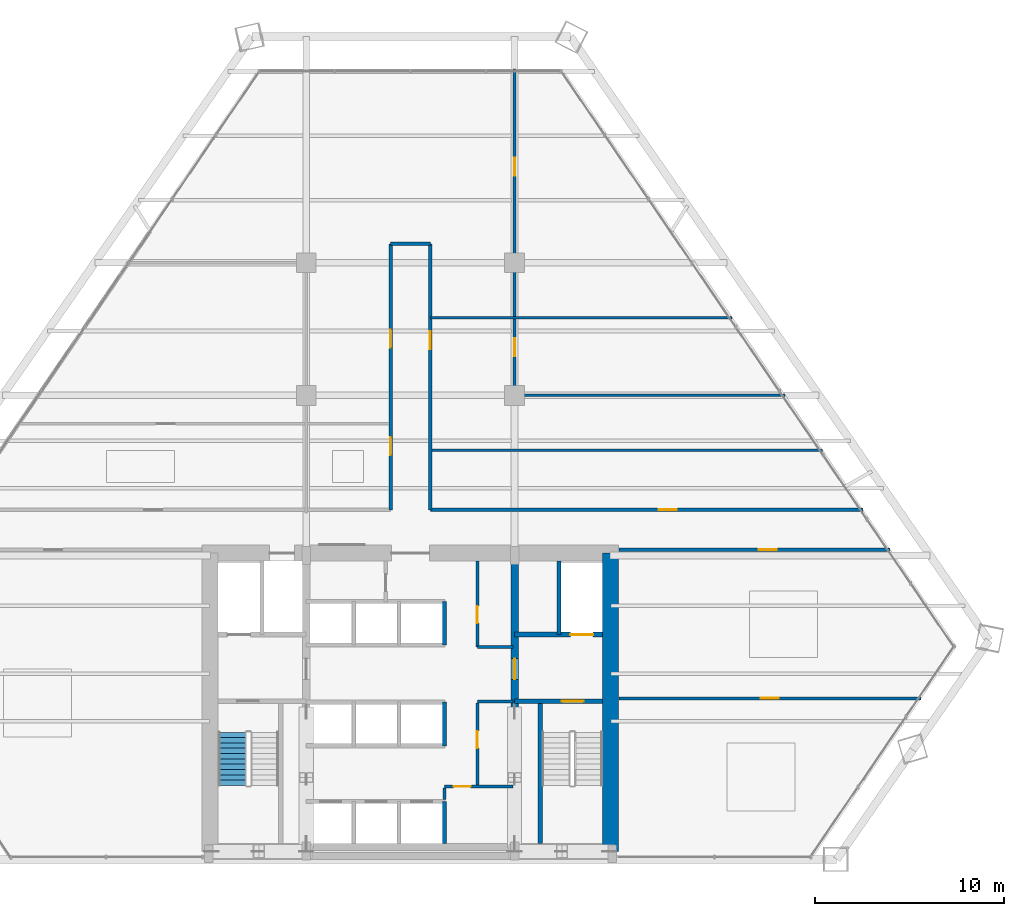
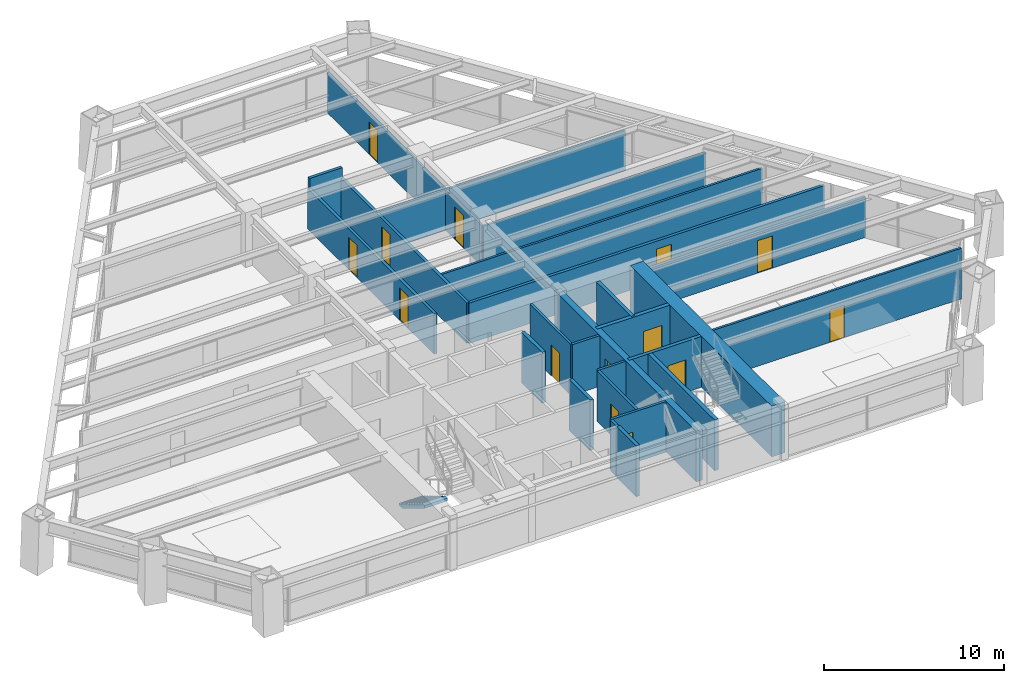
# One storey, part 11 of 13: 25 walls, 14 doors, 1 stair flight, 14 openings, 1 element without a shape of its own.
"""IFC4 building model written with IfcOpenShell, lengths in metres."""

from ifc_helpers import new_model, si_unit, direction, frame, frame_2d, origin, place, context, subcontext, project, spatial, polyline, rectangle, outline, extrude, source, transform, mapped, material, layer, layer_set, type_object, type_shapes, element, fill, aggregate, save


model = new_model("IFC4")

# Units and contexts
model_context = context("Model", 3, precision=1e-05, world=origin(), true_north=direction((0.0, 1.0)))
body_context = subcontext(model_context, "Body", "Model", "MODEL_VIEW")
ifc_project = project(units=[si_unit("LENGTHUNIT", "METRE"), si_unit("AREAUNIT", "SQUARE_METRE"), si_unit("VOLUMEUNIT", "CUBIC_METRE"), si_unit("PLANEANGLEUNIT", "RADIAN"), si_unit("MASSUNIT", "GRAM", prefix="KILO")], contexts=[model_context])

# Site, building, storey
site_placement = place(None, origin())
site = spatial("IfcSite", under=ifc_project, at=site_placement, CompositionType="ELEMENT")
building_placement = place(site_placement, origin())
building = spatial("IfcBuilding", under=site, at=building_placement, Name="Varnakhor Terracotta Tower", CompositionType="ELEMENT")
storey_placement = place(building_placement, frame((0.0, 0.0, 27.5)))
storey = spatial("IfcBuildingStorey", under=building, at=storey_placement, Name="L05", CompositionType="ELEMENT", Elevation=27.5)

# Wall
ifc_material_1 = material(Name="Concrete C60/75", Category="concrete")
ifc_layer_1 = layer(ifc_material_1, 0.85009765625, Name="Concrete C60/75")
ifc_layer_set_1 = layer_set([ifc_layer_1], Name="Concrete C60/75")
wall_type_1 = type_object("IfcWallType", Name="WAL-CORE-850", PredefinedType="SHEAR", material=ifc_layer_set_1)
wall_1_placement = place(storey_placement, frame((10.574951171875, 0.425048828125, 0.0), z_axis=(0.0, 0.0, 1.0), x_axis=(0.0, 1.0, 0.0)))
element("IfcWall", 1, at=wall_1_placement, inside=storey, type_object=wall_type_1, Name="L05 East Core Shear Wall", PredefinedType="SHEAR", context=body_context, shape_type="SweptSolid", body=[
    extrude(rectangle(XDim=15.75, YDim=0.85009765625, at=frame_2d((7.875, 0.0))), origin(), (0.0, 0.0, 1.0), 3.449951171875),
])

# Wall, opening, door
ifc_material_2 = material(Name="Concrete C50/60", Category="concrete")
ifc_layer_2 = layer(ifc_material_2, 0.39990234375, Name="Concrete C50/60")
ifc_layer_set_2 = layer_set([ifc_layer_2], Name="Concrete C50/60")
wall_type_2 = type_object("IfcWallType", Name="WAL-CORE-WEB-400", PredefinedType="SHEAR", material=ifc_layer_set_2)
wall_2_placement = place(storey_placement, frame((5.5, 0.425048828125, 0.0), z_axis=(0.0, 0.0, 1.0), x_axis=(0.0, 1.0, 0.0)))
wall_2 = element("IfcWall", 2, at=wall_2_placement, inside=storey, type_object=wall_type_2, Name="L05 East Core Web Shear Wall", PredefinedType="SHEAR", context=body_context, shape_type="SweptSolid", body=[
    extrude(rectangle(XDim=15.75, YDim=0.39990234375, at=frame_2d((7.875, 0.0))), origin(), (0.0, 0.0, 1.0), 3.449951171875),
])
opening_1_placement = place(wall_2_placement, frame((9.074951171875, 0.0, 0.0)))
opening_1 = element("IfcOpeningElement", 3, at=opening_1_placement, cuts=wall_2, Name="Opening DR-25", PredefinedType="OPENING", context=body_context, shape_type="SweptSolid", body=[
    extrude(rectangle(XDim=1.10009765625, YDim=2.199951171875, at=frame_2d((0.550048828125, 1.10009765625))), frame((0.0, 0.2099609375, 0.0), z_axis=(0.0, -1.0, 0.0), x_axis=(1.0, 0.0, 0.0)), (0.0, 0.0, 1.0), 0.419921875),
])
ifc_material_3 = material(Name="Firefighting Lobby Self-Closing Fire Door", Category="steel")
door_type_1 = type_object("IfcDoorType", Name="DR-FFL-1100X2200", OperationType="NOTDEFINED", PredefinedType="DOOR", material=ifc_material_3)
shared_shape_1 = source(origin(), body_context, "Body", "SweptSolid", [
    extrude(rectangle(XDim=1.10009765625, YDim=2.199951171875, at=frame_2d((0.550048828125, 1.10009765625))), frame((0.0, 0.02490234375, 0.0), z_axis=(0.0, -1.0, 0.0), x_axis=(1.0, 0.0, 0.0)), (0.0, 0.0, 1.0), 0.050048828125),
])
type_shapes(door_type_1, [shared_shape_1])
door_1_placement = place(opening_1_placement, origin())
door_1 = element("IfcDoor", 4, at=door_1_placement, inside=storey, type_object=door_type_1, Name="L05 East Firefighting Lobby Door", OperationType="SINGLE_SWING_LEFT", OverallHeight=2.199951171875, OverallWidth=1.10009765625, PredefinedType="DOOR", context=body_context, shape_type="MappedRepresentation", body=[
    mapped(shared_shape_1, transform((0.0, 0.0, 0.0), scale=1.0)),
])
fill(opening_1, door_1)

ifc_material_4 = material(Name="Fire-Rated Gypsum Stud Partition", Category="gypsum")
ifc_layer_3 = layer(ifc_material_4, 0.18505859375, Name="Fire-Rated Gypsum Stud Partition")
ifc_layer_set_3 = layer_set([ifc_layer_3], Name="Fire-Rated Gypsum Stud Partition")
wall_type_3 = type_object("IfcWallType", Name="WAL-CORR-185", PredefinedType="PARTITIONING", material=ifc_layer_set_3)
wall_3_placement = place(storey_placement, frame((11.02001953125, 16.35009765625, 0.0), z_axis=(0.0, 0.0, 1.0), x_axis=(1.0, 0.0, 0.0)))
wall_3 = element("IfcWall", 5, at=wall_3_placement, inside=storey, type_object=wall_type_3, Name="L05 South East Corridor Wall", PredefinedType="PARTITIONING", context=body_context, shape_type="SweptSolid", body=[
    extrude(rectangle(XDim=14.313232421875, YDim=0.18505859375, at=frame_2d((7.15673828125, 0.0))), origin(), (0.0, 0.0, 1.0), 2.7470703125),
])
opening_2_placement = place(wall_3_placement, frame((7.36328125, 0.0, 0.0)))
opening_2 = element("IfcOpeningElement", 6, at=opening_2_placement, cuts=wall_3, Name="Opening DR-94", PredefinedType="OPENING", context=body_context, shape_type="SweptSolid", body=[
    extrude(rectangle(XDim=0.949951171875, YDim=2.199951171875, at=frame_2d((0.47509765625, 1.10009765625))), frame((0.0, 0.1025390625, 0.0), z_axis=(0.0, -1.0, 0.0), x_axis=(1.0, 0.0, 0.0)), (0.0, 0.0, 1.0), 0.205078125),
])
ifc_material_5 = material(Name="Acoustic Glazed-Vision Timber Office Door", Category="wood")
door_type_2 = type_object("IfcDoorType", Name="DR-OFF-950X2200", OperationType="NOTDEFINED", PredefinedType="DOOR", material=ifc_material_5)
shared_shape_2 = source(origin(), body_context, "Body", "SweptSolid", [
    extrude(rectangle(XDim=0.949951171875, YDim=2.199951171875, at=frame_2d((0.47509765625, 1.10009765625))), frame((0.0, 0.02490234375, 0.0), z_axis=(0.0, -1.0, 0.0), x_axis=(1.0, 0.0, 0.0)), (0.0, 0.0, 1.0), 0.050048828125),
])
type_shapes(door_type_2, [shared_shape_2])
door_2_placement = place(opening_2_placement, origin())
door_2 = element("IfcDoor", 7, at=door_2_placement, inside=storey, type_object=door_type_2, Name="L05 SE Suite Door", OperationType="SINGLE_SWING_LEFT", OverallHeight=2.199951171875, OverallWidth=0.949951171875, PredefinedType="DOOR", context=body_context, shape_type="MappedRepresentation", body=[
    mapped(shared_shape_2, transform((0.0, 0.0, 0.0), scale=1.0)),
])
fill(opening_2, door_2)

wall_4_placement = place(storey_placement, frame((1.050048828125, 18.449951171875, 0.0), z_axis=(0.0, 0.0, 1.0), x_axis=(1.0, 0.0, 0.0)))
wall_4 = element("IfcWall", 8, at=wall_4_placement, inside=storey, type_object=wall_type_3, Name="L05 Corridor North East Wall", PredefinedType="PARTITIONING", context=body_context, shape_type="SweptSolid", body=[
    extrude(rectangle(XDim=22.850341796875, YDim=0.18505859375, at=frame_2d((11.42529296875, 0.0))), origin(), (0.0, 0.0, 1.0), 2.7470703125),
])
opening_3_placement = place(wall_4_placement, frame((12.058837890625, 0.0, 0.0)))
opening_3 = element("IfcOpeningElement", 9, at=opening_3_placement, cuts=wall_4, Name="Opening DR-94", PredefinedType="OPENING", context=body_context, shape_type="SweptSolid", body=[
    extrude(rectangle(XDim=0.949951171875, YDim=2.199951171875, at=frame_2d((0.47509765625, 1.10009765625))), frame((0.0, 0.1025390625, 0.0), z_axis=(0.0, -1.0, 0.0), x_axis=(1.0, 0.0, 0.0)), (0.0, 0.0, 1.0), 0.205078125),
])
door_3_placement = place(opening_3_placement, origin())
door_3 = element("IfcDoor", 10, at=door_3_placement, inside=storey, type_object=door_type_2, Name="L05 East Workplace Door", OperationType="SINGLE_SWING_LEFT", OverallHeight=2.199951171875, OverallWidth=0.949951171875, PredefinedType="DOOR", context=body_context, shape_type="MappedRepresentation", body=[
    mapped(shared_shape_2, transform((0.0, 0.0, 0.0), scale=1.0)),
])
fill(opening_3, door_3)

# Wall, openings, doors
wall_5_placement = place(storey_placement, frame((-1.050048828125, 18.449951171875, 0.0), z_axis=(0.0, 0.0, 1.0), x_axis=(0.0, 1.0, 0.0)))
wall_5 = element("IfcWall", 11, at=wall_5_placement, inside=storey, type_object=wall_type_3, Name="L05 Spine West Wall", PredefinedType="PARTITIONING", context=body_context, shape_type="SweptSolid", body=[
    extrude(rectangle(XDim=14.050048828125, YDim=0.18505859375, at=frame_2d((7.02490234375, 0.0))), origin(), (0.0, 0.0, 1.0), 2.7470703125),
])
opening_4_placement = place(wall_5_placement, frame((2.8974609375, 0.0, 0.0)))
opening_4 = element("IfcOpeningElement", 12, at=opening_4_placement, cuts=wall_5, Name="Opening DR-94", PredefinedType="OPENING", context=body_context, shape_type="SweptSolid", body=[
    extrude(rectangle(XDim=0.949951171875, YDim=2.199951171875, at=frame_2d((0.47509765625, 1.10009765625))), frame((0.0, 0.1025390625, 0.0), z_axis=(0.0, -1.0, 0.0), x_axis=(1.0, 0.0, 0.0)), (0.0, 0.0, 1.0), 0.205078125),
])
opening_5_placement = place(wall_5_placement, frame((8.564453125, 0.0, 0.0)))
opening_5 = element("IfcOpeningElement", 13, at=opening_5_placement, cuts=wall_5, Name="Opening DR-94", PredefinedType="OPENING", context=body_context, shape_type="SweptSolid", body=[
    extrude(rectangle(XDim=0.949951171875, YDim=2.199951171875, at=frame_2d((0.47509765625, 1.10009765625))), frame((0.0, 0.1025390625, 0.0), z_axis=(0.0, -1.0, 0.0), x_axis=(1.0, 0.0, 0.0)), (0.0, 0.0, 1.0), 0.205078125),
])
door_4_placement = place(opening_4_placement, origin())
door_4 = element("IfcDoor", 14, at=door_4_placement, inside=storey, type_object=door_type_2, Name="L05 Spine West Door", OperationType="SINGLE_SWING_RIGHT", OverallHeight=2.199951171875, OverallWidth=0.949951171875, PredefinedType="DOOR", context=body_context, shape_type="MappedRepresentation", body=[
    mapped(shared_shape_2, transform((0.0, 0.0, 0.0), scale=1.0)),
])
fill(opening_4, door_4)
door_5_placement = place(opening_5_placement, origin())
door_5 = element("IfcDoor", 15, at=door_5_placement, inside=storey, type_object=door_type_2, Name="L05 Boardroom North Door", OperationType="SINGLE_SWING_LEFT", OverallHeight=2.199951171875, OverallWidth=0.949951171875, PredefinedType="DOOR", context=body_context, shape_type="MappedRepresentation", body=[
    mapped(shared_shape_2, transform((0.0, 0.0, 0.0), scale=1.0)),
])
fill(opening_5, door_5)

# Wall, opening, door
wall_6_placement = place(storey_placement, frame((1.050048828125, 18.449951171875, 0.0), z_axis=(0.0, 0.0, 1.0), x_axis=(0.0, 1.0, 0.0)))
wall_6 = element("IfcWall", 16, at=wall_6_placement, inside=storey, type_object=wall_type_3, Name="L05 Spine East Wall", PredefinedType="PARTITIONING", context=body_context, shape_type="SweptSolid", body=[
    extrude(rectangle(XDim=14.050048828125, YDim=0.18505859375, at=frame_2d((7.02490234375, 0.0))), origin(), (0.0, 0.0, 1.0), 2.7470703125),
])
opening_6_placement = place(wall_6_placement, frame((8.49755859375, 0.0, 0.0)))
opening_6 = element("IfcOpeningElement", 17, at=opening_6_placement, cuts=wall_6, Name="Opening DR-94", PredefinedType="OPENING", context=body_context, shape_type="SweptSolid", body=[
    extrude(rectangle(XDim=0.949951171875, YDim=2.199951171875, at=frame_2d((0.47509765625, 1.10009765625))), frame((0.0, 0.1025390625, 0.0), z_axis=(0.0, -1.0, 0.0), x_axis=(1.0, 0.0, 0.0)), (0.0, 0.0, 1.0), 0.205078125),
])
door_6_placement = place(opening_6_placement, origin())
door_6 = element("IfcDoor", 18, at=door_6_placement, inside=storey, type_object=door_type_2, Name="L05 Spine East Door", OperationType="SINGLE_SWING_LEFT", OverallHeight=2.199951171875, OverallWidth=0.949951171875, PredefinedType="DOOR", context=body_context, shape_type="MappedRepresentation", body=[
    mapped(shared_shape_2, transform((0.0, 0.0, 0.0), scale=1.0)),
])
fill(opening_6, door_6)

# Wall
wall_7_placement = place(storey_placement, frame((-1.050048828125, 32.5, 0.0), z_axis=(0.0, 0.0, 1.0), x_axis=(1.0, 0.0, 0.0)))
element("IfcWall", 19, at=wall_7_placement, inside=storey, type_object=wall_type_3, Name="L05 Spine North End Wall", PredefinedType="PARTITIONING", context=body_context, shape_type="SweptSolid", body=[
    extrude(rectangle(XDim=2.10009765625, YDim=0.18505859375, at=frame_2d((1.050048828125, 0.0))), origin(), (0.0, 0.0, 1.0), 3.44189453125),
])

# Wall, opening, door
ifc_material_6 = material(Name="Concrete C40/50", Category="concrete")
ifc_layer_4 = layer(ifc_material_6, 0.219970703125, Name="Concrete C40/50")
ifc_layer_set_4 = layer_set([ifc_layer_4], Name="Concrete C40/50")
wall_type_4 = type_object("IfcWallType", Name="WAL-FFLOBBY-220", PredefinedType="SOLIDWALL", material=ifc_layer_set_4)
wall_8_placement = place(storey_placement, frame((10.14990234375, 8.35009765625, 0.0), z_axis=(0.0, 0.0, 1.0), x_axis=(-1.0, 0.0, 0.0)))
wall_8 = element("IfcWall", 20, at=wall_8_placement, inside=storey, type_object=wall_type_4, Name="L05 East Firefighting Lobby Stair Wall", PredefinedType="SOLIDWALL", context=body_context, shape_type="SweptSolid", body=[
    extrude(rectangle(XDim=4.64990234375, YDim=0.219970703125, at=frame_2d((2.324951171875, 0.0))), origin(), (0.0, 0.0, 1.0), 3.449951171875),
])
opening_7_placement = place(wall_8_placement, frame((1.0, 0.0, 0.0)))
opening_7 = element("IfcOpeningElement", 21, at=opening_7_placement, cuts=wall_8, Name="Opening DR-34", PredefinedType="OPENING", context=body_context, shape_type="SweptSolid", body=[
    extrude(rectangle(XDim=1.14990234375, YDim=2.199951171875, at=frame_2d((0.574951171875, 1.10009765625))), frame((0.0, 0.1201171875, 0.0), z_axis=(0.0, -1.0, 0.0), x_axis=(1.0, 0.0, 0.0)), (0.0, 0.0, 1.0), 0.239990234375),
])
ifc_material_7 = material(Name="Self-Closing Smoke-Sealed Steel Fire Door", Category="steel")
door_type_3 = type_object("IfcDoorType", Name="DR-STAIR-1150X2200", OperationType="NOTDEFINED", PredefinedType="DOOR", material=ifc_material_7)
shared_shape_3 = source(origin(), body_context, "Body", "SweptSolid", [
    extrude(rectangle(XDim=1.14990234375, YDim=2.199951171875, at=frame_2d((0.574951171875, 1.10009765625))), frame((0.0, 0.02490234375, 0.0), z_axis=(0.0, -1.0, 0.0), x_axis=(1.0, 0.0, 0.0)), (0.0, 0.0, 1.0), 0.050048828125),
])
type_shapes(door_type_3, [shared_shape_3])
door_7_placement = place(opening_7_placement, origin())
door_7 = element("IfcDoor", 22, at=door_7_placement, inside=storey, type_object=door_type_3, Name="L05 Exit Stair ST-2 Fire Door", OperationType="SINGLE_SWING_RIGHT", OverallHeight=2.199951171875, OverallWidth=1.14990234375, PredefinedType="DOOR", context=body_context, shape_type="MappedRepresentation", body=[
    mapped(shared_shape_3, transform((0.0, 0.0, 0.0), scale=1.0)),
])
fill(opening_7, door_7)

# Wall, openings, doors
ifc_material_8 = material(Name="Acoustic Metal-Stud Partition", Category="gypsum")
ifc_layer_5 = layer(ifc_material_8, 0.139892578125, Name="Acoustic Metal-Stud Partition")
ifc_layer_set_5 = layer_set([ifc_layer_5], Name="Acoustic Metal-Stud Partition")
wall_type_5 = type_object("IfcWallType", Name="WAL-PART-140", PredefinedType="PARTITIONING", material=ifc_layer_set_5)
wall_9_placement = place(storey_placement, frame((5.5, 24.5, 0.0), z_axis=(0.0, 0.0, 1.0), x_axis=(0.0, 1.0, 0.0)))
wall_9 = element("IfcWall", 23, at=wall_9_placement, inside=storey, type_object=wall_type_5, Name="L05 East Column Line Wall", PredefinedType="PARTITIONING", context=body_context, shape_type="SweptSolid", body=[
    extrude(rectangle(XDim=17.219970703125, YDim=0.139892578125, at=frame_2d((8.60986328125, 0.0))), origin(), (0.0, 0.0, 1.0), 2.7470703125),
])
opening_8_placement = place(wall_9_placement, frame((2.06640625, 0.0, 0.0)))
opening_8 = element("IfcOpeningElement", 24, at=opening_8_placement, cuts=wall_9, Name="Opening DR-94", PredefinedType="OPENING", context=body_context, shape_type="SweptSolid", body=[
    extrude(rectangle(XDim=0.949951171875, YDim=2.199951171875, at=frame_2d((0.47509765625, 1.10009765625))), frame((0.0, 0.080078125, 0.0), z_axis=(0.0, -1.0, 0.0), x_axis=(1.0, 0.0, 0.0)), (0.0, 0.0, 1.0), 0.159912109375),
])
opening_9_placement = place(wall_9_placement, frame((11.596923828125, 0.0, 0.0)))
opening_9 = element("IfcOpeningElement", 25, at=opening_9_placement, cuts=wall_9, Name="Opening DR-94", PredefinedType="OPENING", context=body_context, shape_type="SweptSolid", body=[
    extrude(rectangle(XDim=0.949951171875, YDim=2.199951171875, at=frame_2d((0.47509765625, 1.10009765625))), frame((0.0, 0.080078125, 0.0), z_axis=(0.0, -1.0, 0.0), x_axis=(1.0, 0.0, 0.0)), (0.0, 0.0, 1.0), 0.159912109375),
])
door_8_placement = place(opening_8_placement, origin())
door_8 = element("IfcDoor", 26, at=door_8_placement, inside=storey, type_object=door_type_2, Name="L05 Client Lounge Door", OperationType="SINGLE_SWING_LEFT", OverallHeight=2.199951171875, OverallWidth=0.949951171875, PredefinedType="DOOR", context=body_context, shape_type="MappedRepresentation", body=[
    mapped(shared_shape_2, transform((0.0, 0.0, 0.0), scale=1.0)),
])
fill(opening_8, door_8)
door_9_placement = place(opening_9_placement, origin())
door_9 = element("IfcDoor", 27, at=door_9_placement, inside=storey, type_object=door_type_2, Name="L05 Focus Study 1 Door", OperationType="SINGLE_SWING_RIGHT", OverallHeight=2.199951171875, OverallWidth=0.949951171875, PredefinedType="DOOR", context=body_context, shape_type="MappedRepresentation", body=[
    mapped(shared_shape_2, transform((0.0, 0.0, 0.0), scale=1.0)),
])
fill(opening_9, door_9)

# Walls
wall_10_placement = place(storey_placement, frame((5.5, 24.5, 0.0), z_axis=(0.0, 0.0, 1.0), x_axis=(1.0, 0.0, 0.0)))
element("IfcWall", 28, at=wall_10_placement, inside=storey, type_object=wall_type_5, Name="L05 Mid East Column Wall", PredefinedType="PARTITIONING", context=body_context, shape_type="SweptSolid", body=[
    extrude(rectangle(XDim=14.27294921875, YDim=0.139892578125, at=frame_2d((7.136474609375, 0.0))), origin(), (0.0, 0.0, 1.0), 2.7470703125),
])
wall_11_placement = place(storey_placement, frame((1.050048828125, 21.60009765625, 0.0), z_axis=(0.0, 0.0, 1.0), x_axis=(1.0, 0.0, 0.0)))
element("IfcWall", 29, at=wall_11_placement, inside=storey, type_object=wall_type_5, Name="L05 East Wing Cut 1", PredefinedType="PARTITIONING", context=body_context, shape_type="SweptSolid", body=[
    extrude(rectangle(XDim=20.701416015625, YDim=0.139892578125, at=frame_2d((10.3505859375, 0.0))), origin(), (0.0, 0.0, 1.0), 2.7470703125),
])
wall_12_placement = place(storey_placement, frame((1.050048828125, 28.60009765625, 0.0), z_axis=(0.0, 0.0, 1.0), x_axis=(1.0, 0.0, 0.0)))
element("IfcWall", 30, at=wall_12_placement, inside=storey, type_object=wall_type_5, Name="L05 East Wing Cut 2", PredefinedType="PARTITIONING", context=body_context, shape_type="SweptSolid", body=[
    extrude(rectangle(XDim=15.925537109375, YDim=0.139892578125, at=frame_2d((7.962890625, 0.0))), origin(), (0.0, 0.0, 1.0), 2.7470703125),
])

# Wall, opening, door
wall_13_placement = place(storey_placement, frame((11.02001953125, 8.5, 0.0), z_axis=(0.0, 0.0, 1.0), x_axis=(1.0, 0.0, 0.0)))
wall_13 = element("IfcWall", 31, at=wall_13_placement, inside=storey, type_object=wall_type_5, Name="L05 South East Cut 1", PredefinedType="PARTITIONING", context=body_context, shape_type="SweptSolid", body=[
    extrude(rectangle(XDim=15.93701171875, YDim=0.139892578125, at=frame_2d((7.968505859375, 0.0))), origin(), (0.0, 0.0, 1.0), 3.44189453125),
])
opening_10_placement = place(wall_13_placement, frame((7.48046875, 0.0, 0.0)))
opening_10 = element("IfcOpeningElement", 32, at=opening_10_placement, cuts=wall_13, Name="Opening DR-94", PredefinedType="OPENING", context=body_context, shape_type="SweptSolid", body=[
    extrude(rectangle(XDim=0.949951171875, YDim=2.199951171875, at=frame_2d((0.47509765625, 1.10009765625))), frame((0.0, 0.080078125, 0.0), z_axis=(0.0, -1.0, 0.0), x_axis=(1.0, 0.0, 0.0)), (0.0, 0.0, 1.0), 0.159912109375),
])
door_10_placement = place(opening_10_placement, origin())
door_10 = element("IfcDoor", 33, at=door_10_placement, inside=storey, type_object=door_type_2, Name="L05 South East Conference Room Door", OperationType="SINGLE_SWING_RIGHT", OverallHeight=2.199951171875, OverallWidth=0.949951171875, PredefinedType="DOOR", context=body_context, shape_type="MappedRepresentation", body=[
    mapped(shared_shape_2, transform((0.0, 0.0, 0.0), scale=1.0)),
])
fill(opening_10, door_10)

# Walls
ifc_layer_6 = layer(ifc_material_6, 0.219970703125, Name="Concrete C40/50")
ifc_layer_set_6 = layer_set([ifc_layer_6], Name="Concrete C40/50")
wall_type_6 = type_object("IfcWallType", Name="WAL-SHAFT-220", PredefinedType="SOLIDWALL", material=ifc_layer_set_6)
wall_14_placement = place(storey_placement, frame((7.840087890625, 11.8701171875, 0.0), z_axis=(0.0, 0.0, 1.0), x_axis=(0.0, 1.0, 0.0)))
element("IfcWall", 34, at=wall_14_placement, inside=storey, type_object=wall_type_6, Name="L05 Lift FFL-2 and Riser Divider Wall", PredefinedType="SOLIDWALL", context=body_context, shape_type="SweptSolid", body=[
    extrude(rectangle(XDim=3.8798828125, YDim=0.219970703125, at=frame_2d((1.93994140625, 0.0))), origin(), (0.0, 0.0, 1.0), 3.449951171875),
])
wall_15_placement = place(storey_placement, frame((1.800048828125, 0.85009765625, 0.0), z_axis=(0.0, 0.0, 1.0), x_axis=(0.0, 1.0, 0.0)))
element("IfcWall", 35, at=wall_15_placement, inside=storey, type_object=wall_type_6, Name="L05 Bank 1 East Shaft Wall", PredefinedType="SOLIDWALL", context=body_context, shape_type="SweptSolid", body=[
    extrude(rectangle(XDim=2.199951171875, YDim=0.219970703125, at=frame_2d((1.10009765625, 0.0))), origin(), (0.0, 0.0, 1.0), 3.449951171875),
])
for number, where, z_axis, x_axis, name in (
    (36, (1.800048828125, 6.0, 0.0), (0.0, 0.0, 1.0), (0.0, 1.0, 0.0), "L05 Bank 2 East Shaft Wall"),
    (37, (1.800048828125, 11.320068359375, 0.0), (0.0, 0.0, 1.0), (0.0, 1.0, 0.0), "L05 Bank 3 East Shaft Wall"),
):
    element("IfcWall", number, at=place(storey_placement, frame(where, z_axis=z_axis, x_axis=x_axis)), inside=storey, type_object=wall_type_6, Name=name, PredefinedType="SOLIDWALL", context=body_context, shape_type="SweptSolid", body=[
        extrude(rectangle(XDim=2.300048828125, YDim=0.219970703125, at=frame_2d((1.14990234375, 0.0))), origin(), (0.0, 0.0, 1.0), 3.449951171875),
    ])
ifc_layer_7 = layer(ifc_material_6, 0.25, Name="Concrete C40/50")
ifc_layer_set_7 = layer_set([ifc_layer_7], Name="Concrete C40/50")
wall_type_7 = type_object("IfcWallType", Name="WAL-SHAFT-250", PredefinedType="SOLIDWALL", material=ifc_layer_set_7)
wall_16_placement = place(storey_placement, frame((6.85009765625, 0.85009765625, 0.0), z_axis=(0.0, 0.0, 1.0), x_axis=(0.0, 1.0, 0.0)))
element("IfcWall", 38, at=wall_16_placement, inside=storey, type_object=wall_type_7, Name="L05 Stair ST-2 Bearing Shaft Wall", PredefinedType="SOLIDWALL", context=body_context, shape_type="SweptSolid", body=[
    extrude(rectangle(XDim=7.5, YDim=0.25, at=frame_2d((3.75, 0.0))), origin(), (0.0, 0.0, 1.0), 3.449951171875),
])

# Wall, opening, door
wall_17_placement = place(storey_placement, frame((10.14990234375, 11.8701171875, 0.0), z_axis=(0.0, 0.0, 1.0), x_axis=(-1.0, 0.0, 0.0)))
wall_17 = element("IfcWall", 39, at=wall_17_placement, inside=storey, type_object=wall_type_7, Name="L05 Lift FFL-2 Shaft Front Wall", PredefinedType="SOLIDWALL", context=body_context, shape_type="SweptSolid", body=[
    extrude(rectangle(XDim=4.64990234375, YDim=0.25, at=frame_2d((2.324951171875, 0.0))), origin(), (0.0, 0.0, 1.0), 3.449951171875),
])
opening_11_placement = place(wall_17_placement, frame((0.5, 0.0, 0.0)))
opening_11 = element("IfcOpeningElement", 40, at=opening_11_placement, cuts=wall_17, Name="Opening LD-02", PredefinedType="OPENING", context=body_context, shape_type="SweptSolid", body=[
    extrude(rectangle(XDim=1.199951171875, YDim=2.25, at=frame_2d((0.60009765625, 1.125))), frame((0.0, 0.135009765625, 0.0), z_axis=(0.0, -1.0, 0.0), x_axis=(1.0, 0.0, 0.0)), (0.0, 0.0, 1.0), 0.27001953125),
])
ifc_material_9 = material(Name="Firefighting Stretcher Sliding Lift Landing Door", Category="steel")
door_type_4 = type_object("IfcDoorType", Name="LD-FFL-1200X2250", OperationType="NOTDEFINED", PredefinedType="DOOR", material=ifc_material_9)
shared_shape_4 = source(origin(), body_context, "Body", "SweptSolid", [
    extrude(rectangle(XDim=1.199951171875, YDim=2.25, at=frame_2d((0.60009765625, 1.125))), frame((0.0, 0.02490234375, 0.0), z_axis=(0.0, -1.0, 0.0), x_axis=(1.0, 0.0, 0.0)), (0.0, 0.0, 1.0), 0.050048828125),
])
type_shapes(door_type_4, [shared_shape_4])
door_11_placement = place(opening_11_placement, origin())
door_11 = element("IfcDoor", 41, at=door_11_placement, inside=storey, type_object=door_type_4, Name="L05 Firefighting Lift FFL-2 Landing Door", OperationType="SLIDING_TO_RIGHT", OverallHeight=2.25, OverallWidth=1.199951171875, PredefinedType="DOOR", context=body_context, shape_type="MappedRepresentation", body=[
    mapped(shared_shape_4, transform((0.0, 0.0, 0.0), scale=1.0)),
])
fill(opening_11, door_11)

# Wall
ifc_material_10 = material(Name="Acoustic Fire-Rated Partition", Category="gypsum")
ifc_layer_8 = layer(ifc_material_10, 0.1650390625, Name="Acoustic Fire-Rated Partition")
ifc_layer_set_8 = layer_set([ifc_layer_8], Name="Acoustic Fire-Rated Partition")
wall_type_8 = type_object("IfcWallType", Name="WAL-TENANCY-165", PredefinedType="PARTITIONING", material=ifc_layer_set_8)
wall_18_placement = place(storey_placement, frame((1.800048828125, 3.159912109375, 0.0), z_axis=(0.0, 0.0, 1.0), x_axis=(0.0, 1.0, 0.0)))
element("IfcWall", 42, at=wall_18_placement, inside=storey, type_object=wall_type_8, Name="L05 Core South West Return Wall", PredefinedType="PARTITIONING", context=body_context, shape_type="SweptSolid", body=[
    extrude(rectangle(XDim=0.607666015625, YDim=0.1650390625, at=frame_2d((0.3037109375, 0.0))), origin(), (0.0, 0.0, 1.0), 3.44189453125),
])

# Wall, opening, door
wall_19_placement = place(storey_placement, frame((3.5400390625, 3.9326171875, 0.0), z_axis=(0.0, 0.0, 1.0), x_axis=(0.0, 1.0, 0.0)))
wall_19 = element("IfcWall", 43, at=wall_19_placement, inside=storey, type_object=wall_type_8, Name="L05 Core Service Rated Wall", PredefinedType="PARTITIONING", context=body_context, shape_type="SweptSolid", body=[
    extrude(rectangle(XDim=4.324951171875, YDim=0.1650390625, at=frame_2d((2.16259765625, 0.0))), origin(), (0.0, 0.0, 1.0), 3.44189453125),
])
opening_12_placement = place(wall_19_placement, frame((1.9462890625, 0.0, 0.0)))
opening_12 = element("IfcOpeningElement", 44, at=opening_12_placement, cuts=wall_19, Name="Opening DR-67", PredefinedType="OPENING", context=body_context, shape_type="SweptSolid", body=[
    extrude(rectangle(XDim=0.89990234375, YDim=2.10009765625, at=frame_2d((0.449951171875, 1.050048828125))), frame((0.0, 0.092529296875, 0.0), z_axis=(0.0, -1.0, 0.0), x_axis=(1.0, 0.0, 0.0)), (0.0, 0.0, 1.0), 0.18505859375),
])
ifc_material_11 = material(Name="Steel Service Riser Fire Door", Category="steel")
door_type_5 = type_object("IfcDoorType", Name="DR-RISER-900X2100", OperationType="NOTDEFINED", PredefinedType="DOOR", material=ifc_material_11)
shared_shape_5 = source(origin(), body_context, "Body", "SweptSolid", [
    extrude(rectangle(XDim=0.89990234375, YDim=2.10009765625, at=frame_2d((0.449951171875, 1.050048828125))), frame((0.0, 0.02490234375, 0.0), z_axis=(0.0, -1.0, 0.0), x_axis=(1.0, 0.0, 0.0)), (0.0, 0.0, 1.0), 0.050048828125),
])
type_shapes(door_type_5, [shared_shape_5])
door_12_placement = place(opening_12_placement, origin())
door_12 = element("IfcDoor", 45, at=door_12_placement, inside=storey, type_object=door_type_5, Name="L05 Core Accessible WC Door", OperationType="SINGLE_SWING_LEFT", OverallHeight=2.10009765625, OverallWidth=0.89990234375, PredefinedType="DOOR", context=body_context, shape_type="MappedRepresentation", body=[
    mapped(shared_shape_5, transform((0.0, 0.0, 0.0), scale=1.0)),
])
fill(opening_12, door_12)

# Wall
wall_20_placement = place(storey_placement, frame((3.5400390625, 8.340087890625, 0.0), z_axis=(0.0, 0.0, 1.0), x_axis=(1.0, 0.0, 0.0)))
element("IfcWall", 46, at=wall_20_placement, inside=storey, type_object=wall_type_8, Name="L05 Accessible WC North Wall", PredefinedType="PARTITIONING", context=body_context, shape_type="SweptSolid", body=[
    extrude(rectangle(XDim=1.8798828125, YDim=0.1650390625, at=frame_2d((0.93994140625, 0.0))), origin(), (0.0, 0.0, 1.0), 3.44189453125),
])

# Wall, opening, door
wall_21_placement = place(storey_placement, frame((1.800048828125, 3.85009765625, 0.0), z_axis=(0.0, 0.0, 1.0), x_axis=(1.0, 0.0, 0.0)))
wall_21 = element("IfcWall", 47, at=wall_21_placement, inside=storey, type_object=wall_type_8, Name="L05 Core South Service Rated Wall", PredefinedType="PARTITIONING", context=body_context, shape_type="SweptSolid", body=[
    extrude(rectangle(XDim=3.619873046875, YDim=0.1650390625, at=frame_2d((1.81005859375, 0.0))), origin(), (0.0, 0.0, 1.0), 3.44189453125),
])
opening_13_placement = place(wall_21_placement, frame((0.47998046875, 0.0, 0.0)))
opening_13 = element("IfcOpeningElement", 48, at=opening_13_placement, cuts=wall_21, Name="Opening DR-67", PredefinedType="OPENING", context=body_context, shape_type="SweptSolid", body=[
    extrude(rectangle(XDim=0.89990234375, YDim=2.10009765625, at=frame_2d((0.449951171875, 1.050048828125))), frame((0.0, 0.092529296875, 0.0), z_axis=(0.0, -1.0, 0.0), x_axis=(1.0, 0.0, 0.0)), (0.0, 0.0, 1.0), 0.18505859375),
])
door_13_placement = place(opening_13_placement, origin())
door_13 = element("IfcDoor", 49, at=door_13_placement, inside=storey, type_object=door_type_5, Name="L05 Core IT Room Door", OperationType="SINGLE_SWING_RIGHT", OverallHeight=2.10009765625, OverallWidth=0.89990234375, PredefinedType="DOOR", context=body_context, shape_type="MappedRepresentation", body=[
    mapped(shared_shape_5, transform((0.0, 0.0, 0.0), scale=1.0)),
])
fill(opening_13, door_13)

wall_22_placement = place(storey_placement, frame((3.5400390625, 11.219970703125, 0.0), z_axis=(0.0, 0.0, 1.0), x_axis=(0.0, 1.0, 0.0)))
wall_22 = element("IfcWall", 50, at=wall_22_placement, inside=storey, type_object=wall_type_8, Name="L05 Restroom Corridor Wall", PredefinedType="PARTITIONING", context=body_context, shape_type="SweptSolid", body=[
    extrude(rectangle(XDim=4.530029296875, YDim=0.1650390625, at=frame_2d((2.26513671875, 0.0))), origin(), (0.0, 0.0, 1.0), 3.44189453125),
])
opening_14_placement = place(wall_22_placement, frame((1.25, 0.0, 0.0)))
opening_14 = element("IfcOpeningElement", 51, at=opening_14_placement, cuts=wall_22, Name="Opening DR-67", PredefinedType="OPENING", context=body_context, shape_type="SweptSolid", body=[
    extrude(rectangle(XDim=0.89990234375, YDim=2.10009765625, at=frame_2d((0.449951171875, 1.050048828125))), frame((0.0, 0.092529296875, 0.0), z_axis=(0.0, -1.0, 0.0), x_axis=(1.0, 0.0, 0.0)), (0.0, 0.0, 1.0), 0.18505859375),
])
door_14_placement = place(opening_14_placement, origin())
door_14 = element("IfcDoor", 52, at=door_14_placement, inside=storey, type_object=door_type_5, Name="L05 Female WC Door", OperationType="SINGLE_SWING_LEFT", OverallHeight=2.10009765625, OverallWidth=0.89990234375, PredefinedType="DOOR", context=body_context, shape_type="MappedRepresentation", body=[
    mapped(shared_shape_5, transform((0.0, 0.0, 0.0), scale=1.0)),
])
fill(opening_14, door_14)

# Wall
wall_23_placement = place(storey_placement, frame((3.5400390625, 11.219970703125, 0.0), z_axis=(0.0, 0.0, 1.0), x_axis=(1.0, 0.0, 0.0)))
element("IfcWall", 53, at=wall_23_placement, inside=storey, type_object=wall_type_8, Name="L05 Restroom South Wall", PredefinedType="PARTITIONING", context=body_context, shape_type="SweptSolid", body=[
    extrude(rectangle(XDim=1.8798828125, YDim=0.1650390625, at=frame_2d((0.93994140625, 0.0))), origin(), (0.0, 0.0, 1.0), 3.44189453125),
])

# Stair, stair flight
stair_type = type_object("IfcStairType", Name="STR-CORE-OFFICE-1500", PredefinedType="HALF_TURN_STAIR", material=ifc_material_6)
stair_placement = place(storey_placement, origin())
stair = element("IfcStair", 54, at=stair_placement, inside=storey, type_object=stair_type, Name="L05 Core Exit Stair ST-1", PredefinedType="HALF_TURN_STAIR")
stair_flight_type = type_object("IfcStairFlightType", Name="FLT-CORE-1500", PredefinedType="STRAIGHT", material=ifc_material_6)
stair_flight_placement = place(storey_placement, frame((-9.39990234375, 6.7099609375, 0.0), z_axis=(0.0, 0.0, 1.0), x_axis=(0.0, -1.0, 0.0)))
stair_flight = element("IfcStairFlight", 55, at=stair_flight_placement, type_object=stair_flight_type, Name="ST-1 flight 1", NumberOfRisers=11, NumberOfTreads=10, PredefinedType="STRAIGHT", RiserHeight=0.168181818, TreadLength=0.28, context=body_context, shape_type="SweptSolid", body=[
    extrude(outline(polyline([(0.0, 0.0), (0.0, 0.168212890625), (0.280029296875, 0.168212890625), (0.280029296875, 0.33642578125), (0.56005859375, 0.33642578125), (0.56005859375, 0.504638671875), (0.840087890625, 0.504638671875), (0.840087890625, 0.672607421875), (1.1201171875, 0.672607421875), (1.1201171875, 0.8408203125), (1.39990234375, 0.8408203125), (1.39990234375, 1.009033203125), (1.679931640625, 1.009033203125), (1.679931640625, 1.17724609375), (1.9599609375, 1.17724609375), (1.9599609375, 1.345458984375), (2.239990234375, 1.345458984375), (2.239990234375, 1.513671875), (2.52001953125, 1.513671875), (2.52001953125, 1.681884765625), (2.800048828125, 1.681884765625), (2.800048828125, 1.85009765625), (2.800048828125, 1.495361328125), (0.310546875, 0.0), (0.0, 0.0)])), frame((0.0, 0.75, 0.0), z_axis=(0.0, -1.0, 0.0), x_axis=(1.0, 0.0, 0.0)), (0.0, 0.0, 1.0), 1.5),
])
aggregate(stair, [stair_flight])

save(model, "model.ifc")
